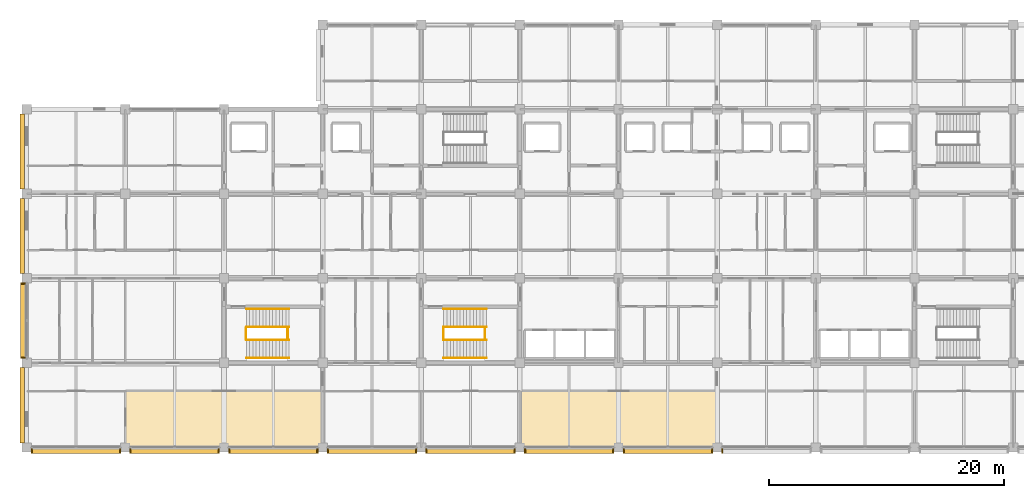
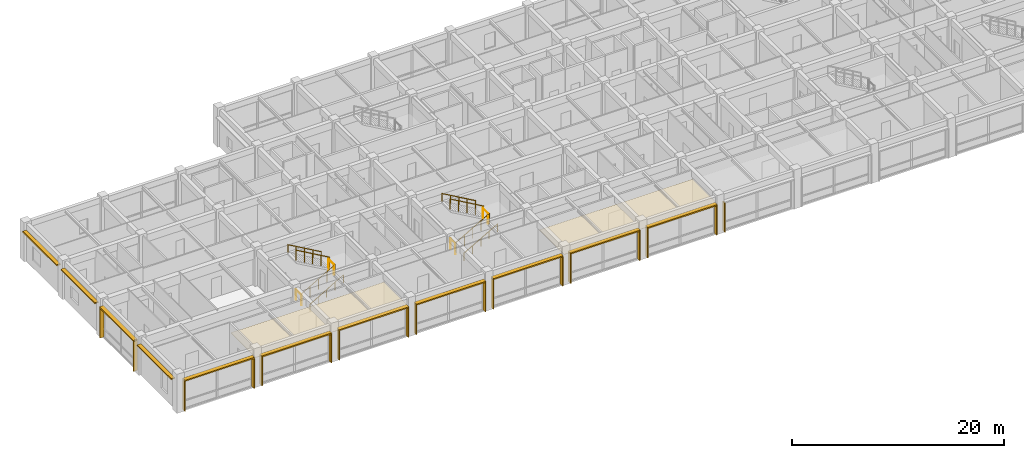
# One storey, part 28 of 30: 28 shading devices, 12 railings, 2 coverings.
"""IFC4 building model written with IfcOpenShell, lengths in metres."""

import ifcopenshell
import ifcopenshell.guid

model = None  # the IFC model being written
_history = None  # IfcOwnerHistory: only IFC2X3 demands one
_inside = {}  # id of a spatial element -> (the spatial element, [elements in it])
_under = {}  # id of a project, library or spatial element -> (it, [spatial elements below it])
_declared = {}  # id of a project -> (the project, [libraries it declares])
_typed = {}  # id of a type object -> (the type object, [elements of that type])
_made_of = {}  # id of a material, layer set ... -> (it, [elements and type objects made of it])


def new_model(schema):
    """Start an empty IFC model of exactly this schema.

    Asked for "IFC4X3", IfcOpenShell would pick the latest addendum, in which some entities
    have other attributes; the version numbers below select the first issue.
    IFC2X3 requires an IfcOwnerHistory on every rooted entity: one is made here for all.
    """
    global model, _history
    if schema == "IFC4X3":
        model = ifcopenshell.file(schema_version=(4, 3, 0, 0))
    else:
        model = ifcopenshell.file(schema=schema)
    _inside.clear()
    _under.clear()
    _declared.clear()
    _typed.clear()
    _made_of.clear()
    _history = None
    if model.schema == "IFC2X3":
        org = make("IfcOrganization", Name="unknown")
        user = make(
            "IfcPersonAndOrganization",
            ThePerson=make("IfcPerson", FamilyName="unknown"),
            TheOrganization=org,
        )
        app = make(
            "IfcApplication",
            ApplicationDeveloper=org,
            Version="unknown",
            ApplicationFullName="unknown",
            ApplicationIdentifier="unknown",
        )
        _history = make(
            "IfcOwnerHistory",
            OwningUser=user,
            OwningApplication=app,
            ChangeAction="ADDED",
            CreationDate=0,
        )
    return model


def make(cls, **values):
    """One entity of the class cls with the attributes given. An attribute that is None is left unset."""
    return model.create_entity(
        cls, **{name: value for name, value in values.items() if value is not None}
    )


def rooted(cls, **values):
    """An entity with a GlobalId (a new one), such as an element, a storey or a relation."""
    return make(cls, GlobalId=ifcopenshell.guid.new(), OwnerHistory=_history, **values)


def si_unit(unit_type, name, prefix=None):
    """IfcSIUnit, for example si_unit("LENGTHUNIT", "METRE", prefix="MILLI")."""
    return make("IfcSIUnit", UnitType=unit_type, Prefix=prefix, Name=name)


def assignment(units):
    """IfcUnitAssignment: the units of a project."""
    return None if units is None else make("IfcUnitAssignment", Units=units)


def point(xyz):
    """IfcCartesianPoint."""
    return None if xyz is None else make("IfcCartesianPoint", Coordinates=xyz)


def direction(xyz):
    """IfcDirection."""
    return None if xyz is None else make("IfcDirection", DirectionRatios=xyz)


def frame(location, z_axis=None, x_axis=None):
    """IfcAxis2Placement3D, a coordinate frame: its origin and axes. An axis left out is left unset."""
    return make(
        "IfcAxis2Placement3D",
        Location=point(location),
        Axis=direction(z_axis),
        RefDirection=direction(x_axis),
    )


def frame_2d(location, x_axis=None):
    """IfcAxis2Placement2D, a coordinate frame in the plane: its origin and x axis."""
    return make(
        "IfcAxis2Placement2D", Location=point(location), RefDirection=direction(x_axis)
    )


def origin():
    """The frame at (0, 0, 0) with its axes left unset."""
    return frame((0.0, 0.0, 0.0))


def origin_2d():
    """The frame at (0, 0) in the plane with its x axis left unset."""
    return frame_2d((0.0, 0.0))


def place(relative_to, where):
    """IfcLocalPlacement: puts the frame where relative to a parent placement (None: the world)."""
    return make(
        "IfcLocalPlacement", PlacementRelTo=relative_to, RelativePlacement=where
    )


def context(
    kind, dimensions, precision=None, world=None, true_north=None, identifier=None
):
    """IfcGeometricRepresentationContext, for example the 3D "Model" context."""
    return make(
        "IfcGeometricRepresentationContext",
        ContextIdentifier=identifier,
        ContextType=kind,
        CoordinateSpaceDimension=dimensions,
        Precision=precision,
        WorldCoordinateSystem=world,
        TrueNorth=true_north,
    )


def subcontext(parent, identifier, kind, view, scale=None):
    """IfcGeometricRepresentationSubContext, for example "Body" below "Model"."""
    return make(
        "IfcGeometricRepresentationSubContext",
        ContextIdentifier=identifier,
        ContextType=kind,
        ParentContext=parent,
        TargetScale=scale,
        TargetView=view,
    )


def project(units=None, contexts=None):
    """IfcProject with its units and contexts."""
    return rooted(
        "IfcProject",
        Name="project",
        RepresentationContexts=contexts,
        UnitsInContext=assignment(units),
    )


def spatial(cls, under=None, at=None, **own):
    """A site, building, storey or space (cls), placed at a placement, below another one or the project."""
    s = rooted(cls, ObjectPlacement=at, **own)
    if under is not None:
        _under.setdefault(under.id(), (under, []))[1].append(s)
    return s


def polyline(points):
    """IfcPolyline through the points."""
    return make("IfcPolyline", Points=[point(p) for p in points])


def profile(cls, at=None, kind="AREA", **sizes):
    """A parametric profile (cls). Its sizes go by their IFC names, for example OverallWidth=200.0."""
    return make(cls, ProfileType=kind, Position=at, **sizes)


def rectangle(**sizes):
    """IfcRectangleProfileDef."""
    return profile("IfcRectangleProfileDef", **sizes)


def circle(**sizes):
    """IfcCircleProfileDef."""
    return profile("IfcCircleProfileDef", **sizes)


def outline(outer, holes=None, kind="AREA"):
    """IfcArbitraryClosedProfileDef: a profile drawn as a closed curve; with holes, ...WithVoids."""
    if holes is None:
        return make("IfcArbitraryClosedProfileDef", ProfileType=kind, OuterCurve=outer)
    return make(
        "IfcArbitraryProfileDefWithVoids",
        ProfileType=kind,
        OuterCurve=outer,
        InnerCurves=holes,
    )


def extrude(swept, where, along, depth):
    """IfcExtrudedAreaSolid: the profile swept, set in the frame where, extruded along a direction by depth."""
    return make(
        "IfcExtrudedAreaSolid",
        SweptArea=swept,
        Position=where,
        ExtrudedDirection=direction(along),
        Depth=depth,
    )


def shape(context_of_items, identifier, shape_type, items):
    """IfcShapeRepresentation: the items that make up one representation, for example the "Body"."""
    return make(
        "IfcShapeRepresentation",
        ContextOfItems=context_of_items,
        RepresentationIdentifier=identifier,
        RepresentationType=shape_type,
        Items=items,
    )


def material(Name=None, Category=None):
    """IfcMaterial."""
    return make("IfcMaterial", Name=Name, Category=Category)


def layer(
    of_material, thickness, ventilated=None, Name=None, Category=None, Priority=None
):
    """IfcMaterialLayer: one layer of a wall or slab, of a material (None: an air gap)."""
    return make(
        "IfcMaterialLayer",
        Material=of_material,
        LayerThickness=thickness,
        IsVentilated=ventilated,
        Name=Name,
        Category=Category,
        Priority=Priority,
    )


def layer_set(layers, Name=None):
    """IfcMaterialLayerSet."""
    return make("IfcMaterialLayerSet", MaterialLayers=layers, LayerSetName=Name)


def made_of(thing, what):
    """Note that an element or type object is made of a material, layer set ...; save() writes the relation."""
    if what is not None:
        _made_of.setdefault(what.id(), (what, []))[1].append(thing)
    return thing


def type_object(cls, material=None, **own):
    """A type object (cls), such as IfcWallType, which elements share."""
    return made_of(rooted(cls, **own), material)


def element(
    cls,
    number,
    at=None,
    inside=None,
    cuts=None,
    type_object=None,
    material=None,
    context=None,
    identifier="Body",
    shape_type=None,
    held_by="IfcProductDefinitionShape",
    body=None,
    shapes=None,
    **own,
):
    """One element of the class cls, such as IfcWall. Its Tag is "e" and its number.

    at: its placement. inside: the storey or other place that contains it. cuts: it is an
    opening in that element (IfcRelVoidsElement). A single representation is given by context,
    identifier, shape_type and body (its items); several are given by shapes. held_by: the class
    of the entity that holds the representations. save() writes the other relations.
    """
    e = rooted(cls, Tag="e%d" % number, ObjectPlacement=at, **own)
    if body is not None:
        shapes = [shape(context, identifier, shape_type, body)]
    if shapes is not None:
        e.Representation = make(held_by, Representations=shapes)
    if inside is not None:
        _inside.setdefault(inside.id(), (inside, []))[1].append(e)
    if cuts is not None:
        rooted(
            "IfcRelVoidsElement", RelatingBuildingElement=cuts, RelatedOpeningElement=e
        )
    if type_object is not None:
        _typed.setdefault(type_object.id(), (type_object, []))[1].append(e)
    return made_of(e, material)


def aggregate(whole, parts):
    """IfcRelAggregates: a whole, such as a stair, and the parts it consists of."""
    return rooted("IfcRelAggregates", RelatingObject=whole, RelatedObjects=parts)


def save(model, path):
    """Write the relations noted so far, then the file.

    IfcRelAggregates (storeys below a building ...), IfcRelContainedInSpatialStructure (elements
    in a storey), IfcRelDefinesByType, IfcRelAssociatesMaterial and IfcRelDeclares: one each for
    every whole, place, type object, material and project.
    """
    for whole, parts in _under.values():
        aggregate(whole, parts)
    for where, things in _inside.values():
        rooted(
            "IfcRelContainedInSpatialStructure",
            RelatedElements=things,
            RelatingStructure=where,
        )
    for kind, things in _typed.values():
        rooted("IfcRelDefinesByType", RelatedObjects=things, RelatingType=kind)
    for what, things in _made_of.values():
        rooted("IfcRelAssociatesMaterial", RelatedObjects=things, RelatingMaterial=what)
    for by, libraries in _declared.values():
        rooted("IfcRelDeclares", RelatingContext=by, RelatedDefinitions=libraries)
    model.write(path)


model = new_model("IFC4")

# Units and contexts
model_context = context("Model", 3, precision=1e-05, world=origin(), true_north=direction((0.0, 1.0)))
body_context = subcontext(model_context, "Body", "Model", "MODEL_VIEW")
ifc_project = project(units=[si_unit("LENGTHUNIT", "METRE"), si_unit("AREAUNIT", "SQUARE_METRE"), si_unit("VOLUMEUNIT", "CUBIC_METRE"), si_unit("PLANEANGLEUNIT", "RADIAN"), si_unit("MASSUNIT", "GRAM", prefix="KILO")], contexts=[model_context])

# Site, building, storey
site_placement = place(None, origin())
site = spatial("IfcSite", under=ifc_project, at=site_placement, CompositionType="ELEMENT")
building_placement = place(site_placement, origin())
building = spatial("IfcBuilding", under=site, at=building_placement, Name="Chengyuan Square Courthouse", CompositionType="ELEMENT")
storey_placement = place(building_placement, frame((0.0, 0.0, 30.60009765625)))
storey = spatial("IfcBuildingStorey", under=building, at=storey_placement, Name="L07", CompositionType="ELEMENT", Elevation=30.60009765625)

# Coverings
ifc_material_1 = material(Name="Perforated Larch Glulam Acoustic Slat Ceiling", Category="wood")
ifc_layer = layer(ifc_material_1, 0.044921875)
ifc_layer_set = layer_set([ifc_layer], Name="Perforated Larch Glulam Acoustic Slat Ceiling")
covering_type = type_object("IfcCoveringType", Name="CLG-01", PredefinedType="CEILING", material=ifc_layer_set)
covering_1_placement = place(storey_placement, frame((0.0, 0.0, 3.0498046875)))
element("IfcCovering", 1, at=covering_1_placement, inside=storey, type_object=covering_type, Name="Acoustic Timber Slat Ceiling CLG-L07-CRT-M1", PredefinedType="CEILING", context=body_context, shape_type="SweptSolid", body=[
    extrude(outline(polyline([(33.64990234375, 79.25), (50.35009765625, 79.25), (50.35009765625, 83.949951171875), (33.64990234375, 83.949951171875), (33.64990234375, 79.25)])), origin(), (0.0, 0.0, 1.0), 0.045166015625),
])
covering_2_placement = place(storey_placement, frame((0.0, 0.0, 3.139892578125)))
element("IfcCovering", 2, at=covering_2_placement, inside=storey, type_object=covering_type, Name="Acoustic Timber Slat Ceiling CLG-L07-CRT-M3", PredefinedType="CEILING", context=body_context, shape_type="SweptSolid", body=[
    extrude(outline(polyline([(67.25, 79.25), (83.949951171875, 79.25), (83.949951171875, 83.949951171875), (67.25, 83.949951171875), (67.25, 79.25)])), origin(), (0.0, 0.0, 1.0), 0.044921875),
])

# Railings
ifc_material_2 = material(Name="Tempered Glass and Timber Top-Rail Balustrade", Category="wood")
railing_type_1 = type_object("IfcRailingType", Name="RL-02", PredefinedType="BALUSTRADE", material=ifc_material_2)
for number, where, name in (
    (3, (60.68994140625, 88.39990234375, 0.0), "Stair Floor Slot Guard ST-3 L07"),
    (4, (64.22998046875, 88.39990234375, 2.25), "Stair Landing Guard ST-3-L07"),
):
    element("IfcRailing", number, at=place(storey_placement, frame(where)), inside=storey, type_object=railing_type_1, Name=name, PredefinedType="BALUSTRADE", context=body_context, shape_type="SweptSolid", body=[
        extrude(circle(Radius=0.02392578125, at=origin_2d()), frame((0.0, 0.0, 1.17578125), z_axis=(0.0, 1.0, 0.0), x_axis=(-1.0, 0.0, 0.0)), (0.0, 0.0, 1.0), 1.0),
        extrude(circle(Radius=0.02099609375, at=origin_2d()), origin(), (0.0, 0.0, 1.0), 1.15185546875),
        extrude(circle(Radius=0.02099609375, at=origin_2d()), frame((0.0, 1.0, 0.0)), (0.0, 0.0, 1.0), 1.15185546875),
    ])
railing_1_placement = place(storey_placement, frame((60.7099609375, 88.35009765625, 0.16064453125)))
element("IfcRailing", 5, at=railing_1_placement, inside=storey, type_object=railing_type_1, Name="Stair Flight 1 Guard ST-3-L07", PredefinedType="BALUSTRADE", context=body_context, shape_type="SweptSolid", body=[
    extrude(circle(Radius=0.02392578125, at=origin_2d()), frame((0.0, 0.0, 1.17578125), z_axis=(0.867289372828, 0.0, 0.497804322781), x_axis=(0.0, 1.0, 0.0)), (0.0, 0.0, 1.0), 4.197021484375),
    extrude(circle(Radius=0.02099609375, at=origin_2d()), origin(), (0.0, 0.0, 1.0), 1.15185546875),
    extrude(circle(Radius=0.02099609375, at=origin_2d()), frame((0.91015625, 0.0, 0.5224609375)), (0.0, 0.0, 1.0), 1.15185546875),
    extrude(circle(Radius=0.02099609375, at=origin_2d()), frame((1.820068359375, 0.0, 1.044677734375)), (0.0, 0.0, 1.0), 1.15185546875),
    extrude(circle(Radius=0.02099609375, at=origin_2d()), frame((2.72998046875, 0.0, 1.56689453125)), (0.0, 0.0, 1.0), 1.15185546875),
    extrude(circle(Radius=0.02099609375, at=origin_2d()), frame((3.64013671875, 0.0, 2.08935546875)), (0.0, 0.0, 1.0), 1.15185546875),
])
railing_2_placement = place(storey_placement, frame((64.35009765625, 89.449951171875, 2.41064453125)))
element("IfcRailing", 6, at=railing_2_placement, inside=storey, type_object=railing_type_1, Name="Stair Flight 2 Guard ST-3-L07", PredefinedType="BALUSTRADE", context=body_context, shape_type="SweptSolid", body=[
    extrude(circle(Radius=0.02392578125, at=origin_2d()), frame((0.0, 0.0, 1.17578125), z_axis=(-0.867289372828, 0.0, 0.497804322781), x_axis=(0.0, -1.0, 0.0)), (0.0, 0.0, 1.0), 4.197021484375),
    extrude(circle(Radius=0.02099609375, at=origin_2d()), origin(), (0.0, 0.0, 1.0), 1.15185546875),
    extrude(circle(Radius=0.02099609375, at=origin_2d()), frame((-0.91015625, 0.0, 0.5224609375)), (0.0, 0.0, 1.0), 1.15185546875),
    extrude(circle(Radius=0.02099609375, at=origin_2d()), frame((-1.820068359375, 0.0, 1.044677734375)), (0.0, 0.0, 1.0), 1.15185546875),
    extrude(circle(Radius=0.02099609375, at=origin_2d()), frame((-2.72998046875, 0.0, 1.56689453125)), (0.0, 0.0, 1.0), 1.15185546875),
    extrude(circle(Radius=0.02099609375, at=origin_2d()), frame((-3.64013671875, 0.0, 2.08935546875)), (0.0, 0.0, 1.0), 1.15185546875),
])
for number, where, name in (
    (7, (43.889892578125, 88.39990234375, 0.0), "Stair Floor Slot Guard ST-5 L07"),
    (8, (47.429931640625, 88.39990234375, 2.25), "Stair Landing Guard ST-5-L07"),
):
    element("IfcRailing", number, at=place(storey_placement, frame(where)), inside=storey, type_object=railing_type_1, Name=name, PredefinedType="BALUSTRADE", context=body_context, shape_type="SweptSolid", body=[
        extrude(circle(Radius=0.02392578125, at=origin_2d()), frame((0.0, 0.0, 1.17578125), z_axis=(0.0, 1.0, 0.0), x_axis=(-1.0, 0.0, 0.0)), (0.0, 0.0, 1.0), 1.0),
        extrude(circle(Radius=0.02099609375, at=origin_2d()), origin(), (0.0, 0.0, 1.0), 1.15185546875),
        extrude(circle(Radius=0.02099609375, at=origin_2d()), frame((0.0, 1.0, 0.0)), (0.0, 0.0, 1.0), 1.15185546875),
    ])
railing_3_placement = place(storey_placement, frame((43.909912109375, 88.35009765625, 0.16064453125)))
element("IfcRailing", 9, at=railing_3_placement, inside=storey, type_object=railing_type_1, Name="Stair Flight 1 Guard ST-5-L07", PredefinedType="BALUSTRADE", context=body_context, shape_type="SweptSolid", body=[
    extrude(circle(Radius=0.02392578125, at=origin_2d()), frame((0.0, 0.0, 1.17578125), z_axis=(0.867289372828, 0.0, 0.497804322781), x_axis=(0.0, 1.0, 0.0)), (0.0, 0.0, 1.0), 4.197021484375),
    extrude(circle(Radius=0.02099609375, at=origin_2d()), origin(), (0.0, 0.0, 1.0), 1.15185546875),
    extrude(circle(Radius=0.02099609375, at=origin_2d()), frame((0.91015625, 0.0, 0.5224609375)), (0.0, 0.0, 1.0), 1.15185546875),
    extrude(circle(Radius=0.02099609375, at=origin_2d()), frame((1.820068359375, 0.0, 1.044677734375)), (0.0, 0.0, 1.0), 1.15185546875),
    extrude(circle(Radius=0.02099609375, at=origin_2d()), frame((2.72998046875, 0.0, 1.56689453125)), (0.0, 0.0, 1.0), 1.15185546875),
    extrude(circle(Radius=0.02099609375, at=origin_2d()), frame((3.64013671875, 0.0, 2.08935546875)), (0.0, 0.0, 1.0), 1.15185546875),
])
railing_4_placement = place(storey_placement, frame((47.550048828125, 89.449951171875, 2.41064453125)))
element("IfcRailing", 10, at=railing_4_placement, inside=storey, type_object=railing_type_1, Name="Stair Flight 2 Guard ST-5-L07", PredefinedType="BALUSTRADE", context=body_context, shape_type="SweptSolid", body=[
    extrude(circle(Radius=0.02392578125, at=origin_2d()), frame((0.0, 0.0, 1.17578125), z_axis=(-0.867289372828, 0.0, 0.497804322781), x_axis=(0.0, -1.0, 0.0)), (0.0, 0.0, 1.0), 4.197021484375),
    extrude(circle(Radius=0.02099609375, at=origin_2d()), origin(), (0.0, 0.0, 1.0), 1.15185546875),
    extrude(circle(Radius=0.02099609375, at=origin_2d()), frame((-0.91015625, 0.0, 0.5224609375)), (0.0, 0.0, 1.0), 1.15185546875),
    extrude(circle(Radius=0.02099609375, at=origin_2d()), frame((-1.820068359375, 0.0, 1.044677734375)), (0.0, 0.0, 1.0), 1.15185546875),
    extrude(circle(Radius=0.02099609375, at=origin_2d()), frame((-2.72998046875, 0.0, 1.56689453125)), (0.0, 0.0, 1.0), 1.15185546875),
    extrude(circle(Radius=0.02099609375, at=origin_2d()), frame((-3.64013671875, 0.0, 2.08935546875)), (0.0, 0.0, 1.0), 1.15185546875),
])
ifc_material_3 = material(Name="Stainless Steel S30408 Stair Handrail", Category="steel")
railing_type_2 = type_object("IfcRailingType", Name="RL-04", PredefinedType="HANDRAIL", material=ifc_material_3)
railing_5_placement = place(storey_placement, frame((60.7099609375, 86.820068359375, 0.16064453125)))
element("IfcRailing", 11, at=railing_5_placement, inside=storey, type_object=railing_type_2, Name="Stair Flight 1 Handrail ST-3-L07", PredefinedType="HANDRAIL", context=body_context, shape_type="SweptSolid", body=[
    extrude(circle(Radius=0.02392578125, at=origin_2d()), frame((0.0, 0.0, 0.8759765625), z_axis=(0.867289372828, 0.0, 0.497804322781), x_axis=(0.0, 1.0, 0.0)), (0.0, 0.0, 1.0), 4.197021484375),
    extrude(circle(Radius=0.02099609375, at=origin_2d()), origin(), (0.0, 0.0, 1.0), 0.851806640625),
    extrude(circle(Radius=0.02099609375, at=origin_2d()), frame((0.91015625, 0.0, 0.5224609375)), (0.0, 0.0, 1.0), 0.851806640625),
    extrude(circle(Radius=0.02099609375, at=origin_2d()), frame((1.820068359375, 0.0, 1.044677734375)), (0.0, 0.0, 1.0), 0.851806640625),
    extrude(circle(Radius=0.02099609375, at=origin_2d()), frame((2.72998046875, 0.0, 1.56689453125)), (0.0, 0.0, 1.0), 0.851806640625),
    extrude(circle(Radius=0.02099609375, at=origin_2d()), frame((3.64013671875, 0.0, 2.08935546875)), (0.0, 0.0, 1.0), 0.851806640625),
])
railing_6_placement = place(storey_placement, frame((64.35009765625, 90.97998046875, 2.41064453125)))
element("IfcRailing", 12, at=railing_6_placement, inside=storey, type_object=railing_type_2, Name="Stair Flight 2 Handrail ST-3-L07", PredefinedType="HANDRAIL", context=body_context, shape_type="SweptSolid", body=[
    extrude(circle(Radius=0.02392578125, at=origin_2d()), frame((0.0, 0.0, 0.8759765625), z_axis=(-0.867289372828, 0.0, 0.497804322781), x_axis=(0.0, -1.0, 0.0)), (0.0, 0.0, 1.0), 4.197021484375),
    extrude(circle(Radius=0.02099609375, at=origin_2d()), origin(), (0.0, 0.0, 1.0), 0.851806640625),
    extrude(circle(Radius=0.02099609375, at=origin_2d()), frame((-0.91015625, 0.0, 0.5224609375)), (0.0, 0.0, 1.0), 0.851806640625),
    extrude(circle(Radius=0.02099609375, at=origin_2d()), frame((-1.820068359375, 0.0, 1.044677734375)), (0.0, 0.0, 1.0), 0.851806640625),
    extrude(circle(Radius=0.02099609375, at=origin_2d()), frame((-2.72998046875, 0.0, 1.56689453125)), (0.0, 0.0, 1.0), 0.851806640625),
    extrude(circle(Radius=0.02099609375, at=origin_2d()), frame((-3.64013671875, 0.0, 2.08935546875)), (0.0, 0.0, 1.0), 0.851806640625),
])
railing_7_placement = place(storey_placement, frame((43.909912109375, 86.820068359375, 0.16064453125)))
element("IfcRailing", 13, at=railing_7_placement, inside=storey, type_object=railing_type_2, Name="Stair Flight 1 Handrail ST-5-L07", PredefinedType="HANDRAIL", context=body_context, shape_type="SweptSolid", body=[
    extrude(circle(Radius=0.02392578125, at=origin_2d()), frame((0.0, 0.0, 0.8759765625), z_axis=(0.867289372828, 0.0, 0.497804322781), x_axis=(0.0, 1.0, 0.0)), (0.0, 0.0, 1.0), 4.197021484375),
    extrude(circle(Radius=0.02099609375, at=origin_2d()), origin(), (0.0, 0.0, 1.0), 0.851806640625),
    extrude(circle(Radius=0.02099609375, at=origin_2d()), frame((0.91015625, 0.0, 0.5224609375)), (0.0, 0.0, 1.0), 0.851806640625),
    extrude(circle(Radius=0.02099609375, at=origin_2d()), frame((1.820068359375, 0.0, 1.044677734375)), (0.0, 0.0, 1.0), 0.851806640625),
    extrude(circle(Radius=0.02099609375, at=origin_2d()), frame((2.72998046875, 0.0, 1.56689453125)), (0.0, 0.0, 1.0), 0.851806640625),
    extrude(circle(Radius=0.02099609375, at=origin_2d()), frame((3.64013671875, 0.0, 2.08935546875)), (0.0, 0.0, 1.0), 0.851806640625),
])
railing_8_placement = place(storey_placement, frame((47.550048828125, 90.97998046875, 2.41064453125)))
element("IfcRailing", 14, at=railing_8_placement, inside=storey, type_object=railing_type_2, Name="Stair Flight 2 Handrail ST-5-L07", PredefinedType="HANDRAIL", context=body_context, shape_type="SweptSolid", body=[
    extrude(circle(Radius=0.02392578125, at=origin_2d()), frame((0.0, 0.0, 0.8759765625), z_axis=(-0.867289372828, 0.0, 0.497804322781), x_axis=(0.0, -1.0, 0.0)), (0.0, 0.0, 1.0), 4.197021484375),
    extrude(circle(Radius=0.02099609375, at=origin_2d()), origin(), (0.0, 0.0, 1.0), 0.851806640625),
    extrude(circle(Radius=0.02099609375, at=origin_2d()), frame((-0.91015625, 0.0, 0.5224609375)), (0.0, 0.0, 1.0), 0.851806640625),
    extrude(circle(Radius=0.02099609375, at=origin_2d()), frame((-1.820068359375, 0.0, 1.044677734375)), (0.0, 0.0, 1.0), 0.851806640625),
    extrude(circle(Radius=0.02099609375, at=origin_2d()), frame((-2.72998046875, 0.0, 1.56689453125)), (0.0, 0.0, 1.0), 0.851806640625),
    extrude(circle(Radius=0.02099609375, at=origin_2d()), frame((-3.64013671875, 0.0, 2.08935546875)), (0.0, 0.0, 1.0), 0.851806640625),
])

# Shading devices
ifc_material_4 = material(Name="Glulam TCt28 Solar Shading Fin", Category="wood")
shading_device_type_1 = type_object("IfcShadingDeviceType", Name="SHD-01", PredefinedType="JALOUSIE", material=ifc_material_4)
for number, where, z_axis, x_axis, name in (
    (15, (25.635009765625, 78.89794921875, 0.0400390625), (0.0, 0.0, 1.0), (0.0, 1.0, 0.0), "Glulam Solar Fin SHD-L07-0629"),
    (16, (33.1650390625, 78.89794921875, 0.0400390625), (0.0, 0.0, 1.0), (0.0, 1.0, 0.0), "Glulam Solar Fin SHD-L07-0630"),
    (17, (24.887939453125, 86.840087890625, 0.0400390625), (0.0, 0.0, 1.0), (1.0, 0.0, 0.0), "Glulam Solar Fin SHD-L07-0633"),
    (18, (24.887939453125, 93.159912109375, 0.0400390625), (0.0, 0.0, 1.0), (1.0, 0.0, 0.0), "Glulam Solar Fin SHD-L07-0634"),
):
    element("IfcShadingDevice", number, at=place(storey_placement, frame(where, z_axis=z_axis, x_axis=x_axis)), inside=storey, type_object=shading_device_type_1, Name=name, PredefinedType="JALOUSIE", context=body_context, shape_type="SweptSolid", body=[
        extrude(rectangle(XDim=0.419921875, YDim=0.094970703125, at=origin_2d()), origin(), (0.0, 0.0, 1.0), 3.43994140625),
    ])
for number, where, z_axis, x_axis, name in (
    (19, (34.034912109375, 78.89794921875, 0.039794921875), (0.0, 0.0, 1.0), (0.0, 1.0, 0.0), "Glulam Solar Fin SHD-L07-0638"),
    (20, (41.56494140625, 78.89794921875, 0.039794921875), (0.0, 0.0, 1.0), (0.0, 1.0, 0.0), "Glulam Solar Fin SHD-L07-0639"),
):
    element("IfcShadingDevice", number, at=place(storey_placement, frame(where, z_axis=z_axis, x_axis=x_axis)), inside=storey, type_object=shading_device_type_1, Name=name, PredefinedType="JALOUSIE", context=body_context, shape_type="SweptSolid", body=[
        extrude(rectangle(XDim=0.419921875, YDim=0.094970703125, at=origin_2d()), origin(), (0.0, 0.0, 1.0), 3.2900390625),
    ])
for number, where, z_axis, x_axis, name in (
    (21, (42.43505859375, 78.89794921875, 0.0400390625), (0.0, 0.0, 1.0), (0.0, 1.0, 0.0), "Glulam Solar Fin SHD-L07-0641"),
    (22, (49.965087890625, 78.89794921875, 0.0400390625), (0.0, 0.0, 1.0), (0.0, 1.0, 0.0), "Glulam Solar Fin SHD-L07-0642"),
    (23, (50.8349609375, 78.89794921875, 0.0400390625), (0.0, 0.0, 1.0), (0.0, 1.0, 0.0), "Glulam Solar Fin SHD-L07-0644"),
    (24, (58.364990234375, 78.89794921875, 0.0400390625), (0.0, 0.0, 1.0), (0.0, 1.0, 0.0), "Glulam Solar Fin SHD-L07-0645"),
    (25, (59.235107421875, 78.89794921875, 0.0400390625), (0.0, 0.0, 1.0), (0.0, 1.0, 0.0), "Glulam Solar Fin SHD-L07-0648"),
    (26, (66.764892578125, 78.89794921875, 0.0400390625), (0.0, 0.0, 1.0), (0.0, 1.0, 0.0), "Glulam Solar Fin SHD-L07-0649"),
    (27, (67.635009765625, 78.89794921875, 0.0400390625), (0.0, 0.0, 1.0), (0.0, 1.0, 0.0), "Glulam Solar Fin SHD-L07-0651"),
    (28, (75.1650390625, 78.89794921875, 0.0400390625), (0.0, 0.0, 1.0), (0.0, 1.0, 0.0), "Glulam Solar Fin SHD-L07-0652"),
    (29, (76.034912109375, 78.89794921875, 0.0400390625), (0.0, 0.0, 1.0), (0.0, 1.0, 0.0), "Glulam Solar Fin SHD-L07-0654"),
    (30, (83.56494140625, 78.89794921875, 0.0400390625), (0.0, 0.0, 1.0), (0.0, 1.0, 0.0), "Glulam Solar Fin SHD-L07-0655"),
    (31, (84.43505859375, 78.89794921875, 0.0400390625), (0.0, 0.0, 1.0), (0.0, 1.0, 0.0), "Glulam Solar Fin SHD-L07-0657"),
):
    element("IfcShadingDevice", number, at=place(storey_placement, frame(where, z_axis=z_axis, x_axis=x_axis)), inside=storey, type_object=shading_device_type_1, Name=name, PredefinedType="JALOUSIE", context=body_context, shape_type="SweptSolid", body=[
        extrude(rectangle(XDim=0.419921875, YDim=0.094970703125, at=origin_2d()), origin(), (0.0, 0.0, 1.0), 3.3798828125),
    ])
ifc_material_5 = material(Name="Glulam TCt28 Sunshade Louvre", Category="wood")
shading_device_type_2 = type_object("IfcShadingDeviceType", Name="SHD-02", PredefinedType="AWNING", material=ifc_material_5)
shading_device_1_placement = place(storey_placement, frame((29.39990234375, 78.89794921875, 3.47998046875), z_axis=(0.0, 0.0, 1.0), x_axis=(1.0, 0.0, 0.0)))
element("IfcShadingDevice", 32, at=shading_device_1_placement, inside=storey, type_object=shading_device_type_2, Name="Glulam Sunshade Louvre SHD-L07-0631", PredefinedType="AWNING", context=body_context, shape_type="SweptSolid", body=[
    extrude(rectangle(XDim=7.60009765625, YDim=0.43994140625, at=origin_2d()), origin(), (0.0, 0.0, 1.0), 0.139892578125),
])
shading_device_2_placement = place(storey_placement, frame((24.887939453125, 90.0, 3.47998046875), z_axis=(0.0, 0.0, 1.0), x_axis=(0.0, 1.0, 0.0)))
element("IfcShadingDevice", 33, at=shading_device_2_placement, inside=storey, type_object=shading_device_type_2, Name="Glulam Sunshade Louvre SHD-L07-0635", PredefinedType="AWNING", context=body_context, shape_type="SweptSolid", body=[
    extrude(rectangle(XDim=6.39990234375, YDim=0.43994140625, at=origin_2d()), origin(), (0.0, 0.0, 1.0), 0.139892578125),
])
for number, where, z_axis, x_axis, name in (
    (34, (37.800048828125, 78.89794921875, 3.330078125), (0.0, 0.0, 1.0), (1.0, 0.0, 0.0), "Glulam Sunshade Louvre SHD-L07-0640"),
    (35, (46.199951171875, 78.89794921875, 3.419921875), (0.0, 0.0, 1.0), (1.0, 0.0, 0.0), "Glulam Sunshade Louvre SHD-L07-0643"),
    (36, (54.60009765625, 78.89794921875, 3.419921875), (0.0, 0.0, 1.0), (1.0, 0.0, 0.0), "Glulam Sunshade Louvre SHD-L07-0646"),
    (37, (63.0, 78.89794921875, 3.419921875), (0.0, 0.0, 1.0), (1.0, 0.0, 0.0), "Glulam Sunshade Louvre SHD-L07-0650"),
    (38, (71.39990234375, 78.89794921875, 3.419921875), (0.0, 0.0, 1.0), (1.0, 0.0, 0.0), "Glulam Sunshade Louvre SHD-L07-0653"),
    (39, (79.800048828125, 78.89794921875, 3.419921875), (0.0, 0.0, 1.0), (1.0, 0.0, 0.0), "Glulam Sunshade Louvre SHD-L07-0656"),
):
    element("IfcShadingDevice", number, at=place(storey_placement, frame(where, z_axis=z_axis, x_axis=x_axis)), inside=storey, type_object=shading_device_type_2, Name=name, PredefinedType="AWNING", context=body_context, shape_type="SweptSolid", body=[
        extrude(rectangle(XDim=7.60009765625, YDim=0.43994140625, at=origin_2d()), origin(), (0.0, 0.0, 1.0), 0.139892578125),
    ])
ifc_material_6 = material(Name="Glulam TCt28 Facade Sunshade", Category="wood")
shading_device_type_3 = type_object("IfcShadingDeviceType", Name="SHD-03", PredefinedType="AWNING", material=ifc_material_6)
for number, where, z_axis, x_axis, name in (
    (40, (24.8330078125, 82.800048828125, 3.4599609375), (0.0, 0.0, 1.0), (0.0, 1.0, 0.0), "Glulam Facade Sunshade SHD-L07-0632"),
    (41, (24.8330078125, 97.199951171875, 3.4599609375), (0.0, 0.0, 1.0), (0.0, 1.0, 0.0), "Glulam Facade Sunshade SHD-L07-0636"),
    (42, (24.8330078125, 104.39990234375, 3.4599609375), (0.0, 0.0, 1.0), (0.0, 1.0, 0.0), "Glulam Facade Sunshade SHD-L07-0637"),
):
    element("IfcShadingDevice", number, at=place(storey_placement, frame(where, z_axis=z_axis, x_axis=x_axis)), inside=storey, type_object=shading_device_type_3, Name=name, PredefinedType="AWNING", context=body_context, shape_type="SweptSolid", body=[
        extrude(rectangle(XDim=6.409912109375, YDim=0.39990234375, at=origin_2d()), origin(), (0.0, 0.0, 1.0), 0.139892578125),
    ])

save(model, "model.ifc")
